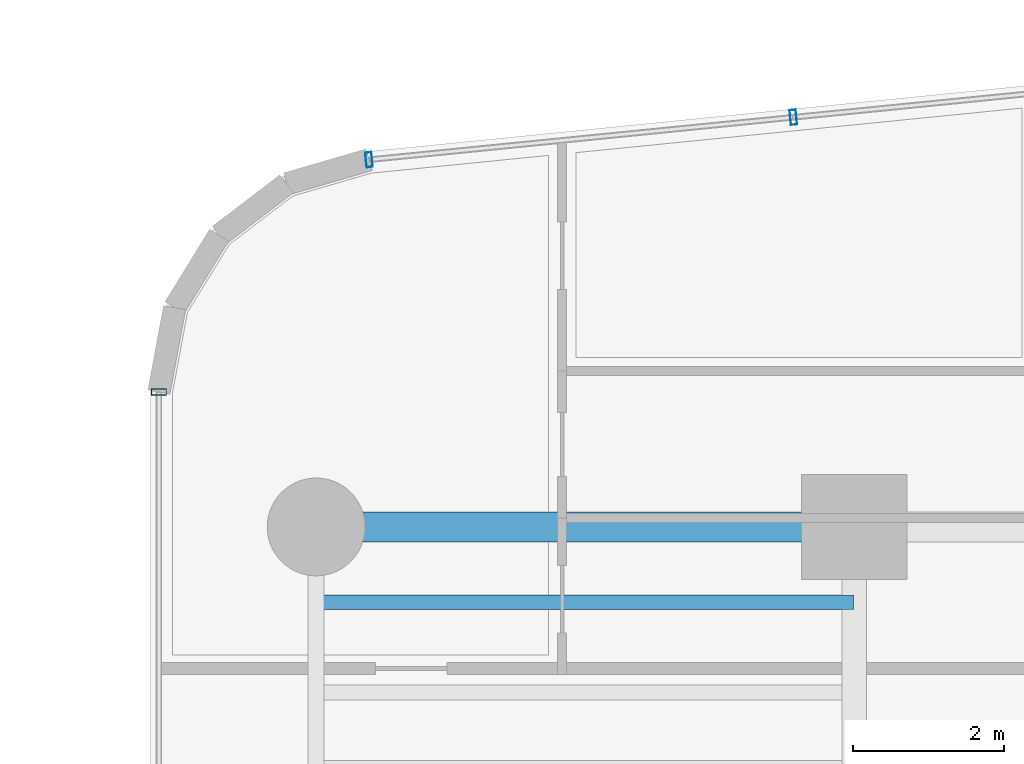
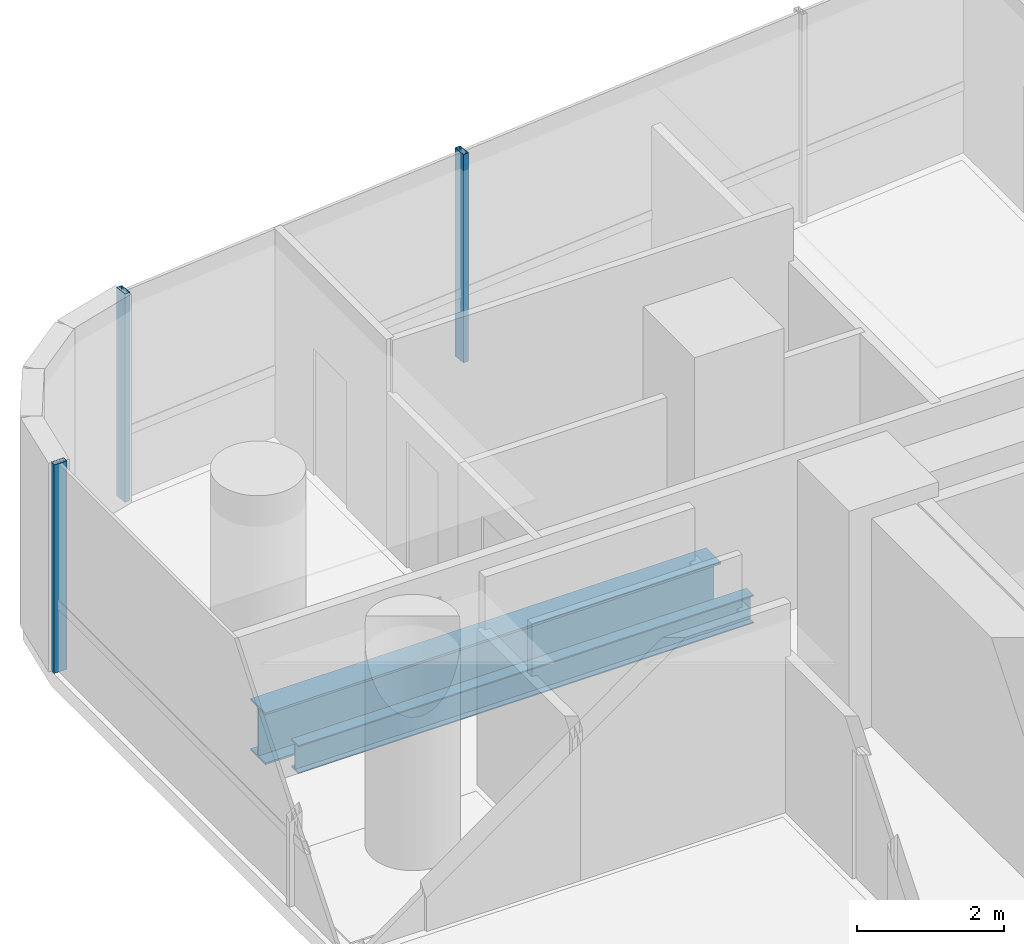
# One storey, part 18 of 41: 3 members, 2 beams, 2 elements without a shape of their own.
"""IFC4 building model written with IfcOpenShell, lengths in metres."""

from ifc_helpers import new_model, si_unit, direction, frame, origin, origin_2d, place, context, subcontext, project, spatial, hollow_rectangle, i_section, extrude, source, transform, mapped, material, material_profile, profile_set, type_object, element, aggregate, save


model = new_model("IFC4")

# Units and contexts
model_context = context("Model", 3, precision=1e-05, world=origin(), true_north=direction((0.0, 1.0)))
body_context = subcontext(model_context, "Body", "Model", "MODEL_VIEW")
ifc_project = project(units=[si_unit("LENGTHUNIT", "METRE"), si_unit("AREAUNIT", "SQUARE_METRE"), si_unit("VOLUMEUNIT", "CUBIC_METRE"), si_unit("PLANEANGLEUNIT", "RADIAN"), si_unit("MASSUNIT", "GRAM", prefix="KILO")], contexts=[model_context])

# Site, building, storey
site_placement = place(None, origin())
site = spatial("IfcSite", under=ifc_project, at=site_placement, CompositionType="ELEMENT")
building_placement = place(site_placement, origin())
building = spatial("IfcBuilding", under=site, at=building_placement, Name="Valdorenza Pilgrim Sanctuary Tower", CompositionType="ELEMENT")
storey_placement = place(building_placement, frame((0.0, 0.0, 59.300048828125)))
storey = spatial("IfcBuildingStorey", under=building, at=storey_placement, Name="L14", CompositionType="ELEMENT", Elevation=59.300048828125)

# Beams
ifc_material_1 = material(Name="Steel ASTM A992 Grade 50", Category="steel")
ifc_material_profile_1 = material_profile(ifc_material_1, i_section(OverallWidth=0.193115234375, OverallDepth=0.466064453125, WebThickness=0.011474609375, FlangeThickness=0.01904296875, at=origin_2d()), Name="W18X65")
ifc_profile_set_1 = profile_set([ifc_material_profile_1], Name="Steel ASTM A992 Grade 50")
beam_type_1 = type_object("IfcBeamType", Name="STR-BM-JST-W18A", PredefinedType="JOIST", material=ifc_profile_set_1)
shared_shape_1 = source(origin(), body_context, "Body", "SweptSolid", [
    extrude(i_section(OverallWidth=0.193115234375, OverallDepth=0.466064453125, WebThickness=0.011474609375, FlangeThickness=0.01904296875, at=origin_2d()), origin(), (0.0, 0.0, 1.0), 7.150146484375),
])
beam_1_placement = place(storey_placement, frame((-29.800048828125, 13.800048828125, -0.47314453125), z_axis=(1.0, 0.0, 0.0), x_axis=(0.0, 1.0, 0.0)))
element("IfcBeam", 1, at=beam_1_placement, inside=storey, type_object=beam_type_1, Name="L14 Composite Floor Joist JST-WA-26", PredefinedType="JOIST", context=body_context, shape_type="MappedRepresentation", body=[
    mapped(shared_shape_1, transform((0.0, 0.0, 0.0), x_axis=(1.0, 0.0, 0.0), y_axis=(0.0, 1.0, 0.0), z_axis=(0.0, 0.0, 1.0), scale=1.0)),
])
ifc_material_profile_2 = material_profile(ifc_material_1, i_section(OverallWidth=0.39990234375, OverallDepth=0.862060546875, WebThickness=0.019775390625, FlangeThickness=0.032470703125, at=origin_2d()), Name="W33X221")
ifc_profile_set_2 = profile_set([ifc_material_profile_2], Name="Steel ASTM A992 Grade 50")
beam_type_2 = type_object("IfcBeamType", Name="STR-BM-GRD-W33", PredefinedType="BEAM", material=ifc_profile_set_2)
shared_shape_2 = source(origin(), body_context, "Body", "SweptSolid", [
    extrude(i_section(OverallWidth=0.39990234375, OverallDepth=0.862060546875, WebThickness=0.019775390625, FlangeThickness=0.032470703125, at=origin_2d()), origin(), (0.0, 0.0, 1.0), 7.150146484375),
])
beam_2_placement = place(storey_placement, frame((-29.800048828125, 14.800048828125, -0.671142578125), z_axis=(1.0, 0.0, 0.0), x_axis=(0.0, 1.0, 0.0)))
element("IfcBeam", 2, at=beam_2_placement, inside=storey, type_object=beam_type_2, Name="L14 Floor Girder WA-XW-N2", PredefinedType="BEAM", context=body_context, shape_type="MappedRepresentation", body=[
    mapped(shared_shape_2, transform((0.0, 0.0, 0.0), x_axis=(1.0, 0.0, 0.0), y_axis=(0.0, 1.0, 0.0), z_axis=(0.0, 0.0, 1.0), scale=1.0)),
])

# Curtain wall, member
ifc_material_2 = material(Name="Curtain-wall IGU glazing", Category="glass")
curtain_wall_type = type_object("IfcCurtainWallType", Name="CW-SYS-02", PredefinedType="NOTDEFINED", material=ifc_material_2)
curtain_wall_1_placement = place(storey_placement, origin())
curtain_wall_1 = element("IfcCurtainWall", 3, at=curtain_wall_1_placement, inside=storey, type_object=curtain_wall_type, Name="L14 Curtain Wall CW-L14-1-1S2", PredefinedType="NOTDEFINED")
ifc_material_3 = material(Name="Anodised aluminium AW-6060", Category="aluminium")
ifc_material_profile_3 = material_profile(ifc_material_3, hollow_rectangle(XDim=0.0849609375, YDim=0.199951171875, WallThickness=0.0048828125, at=origin_2d()), Name="ALU-M 200x85x5")
ifc_profile_set_3 = profile_set([ifc_material_profile_3], Name="Anodised aluminium AW-6060")
member_type = type_object("IfcMemberType", Name="CW-MUL-02", PredefinedType="MULLION", material=ifc_profile_set_3)
shared_shape_3 = source(origin(), body_context, "Body", "SweptSolid", [
    extrude(hollow_rectangle(XDim=0.0849609375, YDim=0.199951171875, WallThickness=0.0048828125, at=origin_2d()), origin(), (0.0, 0.0, 1.0), 3.4599609375),
])
member_1_placement = place(storey_placement, frame((-31.889892578125, 16.593994140625, 0.0), z_axis=(0.0, 0.0, 1.0), x_axis=(0.0, 1.0, 0.0)))
member_1 = element("IfcMember", 4, at=member_1_placement, type_object=member_type, Name="CW-L14-1-1S2 Mullion 4", PredefinedType="MULLION", context=body_context, shape_type="MappedRepresentation", body=[
    mapped(shared_shape_3, transform((0.0, 0.0, 0.0), x_axis=(1.0, 0.0, 0.0), y_axis=(0.0, 1.0, 0.0), z_axis=(0.0, 0.0, 1.0), scale=1.0)),
])
aggregate(curtain_wall_1, [member_1])

# Curtain wall, members
curtain_wall_2_placement = place(storey_placement, origin())
curtain_wall_2 = element("IfcCurtainWall", 5, at=curtain_wall_2_placement, inside=storey, type_object=curtain_wall_type, Name="L14 Curtain Wall CW-L14-1-6", PredefinedType="NOTDEFINED")
member_2_placement = place(storey_placement, frame((-29.097412109375, 19.6796875, 0.0), z_axis=(0.0, 0.0, 1.0), x_axis=(0.995038220239, 0.099493418189, 0.0)))
member_2 = element("IfcMember", 6, at=member_2_placement, type_object=member_type, Name="CW-L14-1-6 Mullion 1", PredefinedType="MULLION", context=body_context, shape_type="MappedRepresentation", body=[
    mapped(shared_shape_3, transform((0.0, 0.0, 0.0), x_axis=(1.0, 0.0, 0.0), y_axis=(0.0, 1.0, 0.0), z_axis=(0.0, 0.0, 1.0), scale=1.0)),
])
member_3_placement = place(storey_placement, frame((-23.458984375, 20.24365234375, 0.0), z_axis=(0.0, 0.0, 1.0), x_axis=(0.995038220239, 0.099493418189, 0.0)))
member_3 = element("IfcMember", 7, at=member_3_placement, type_object=member_type, Name="CW-L14-1-6 Mullion 2", PredefinedType="MULLION", context=body_context, shape_type="MappedRepresentation", body=[
    mapped(shared_shape_3, transform((0.0, 0.0, 0.0), x_axis=(1.0, 0.0, 0.0), y_axis=(0.0, 1.0, 0.0), z_axis=(0.0, 0.0, 1.0), scale=1.0)),
])
aggregate(curtain_wall_2, [member_2, member_3])

save(model, "model.ifc")
